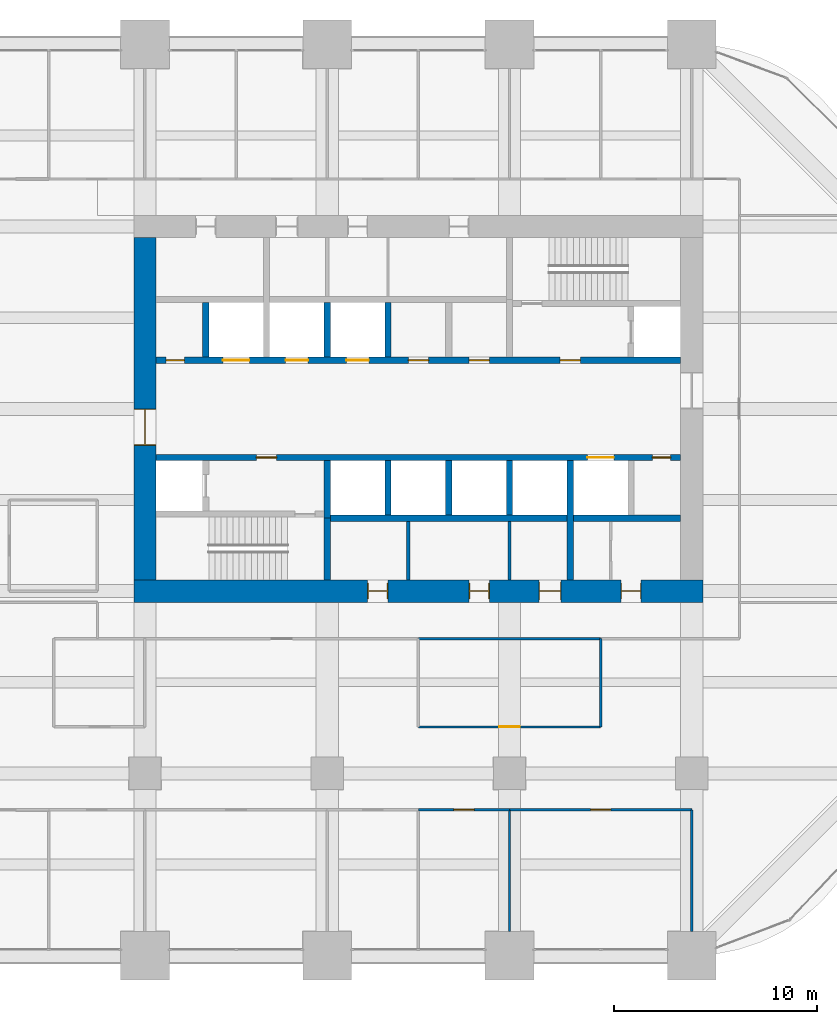
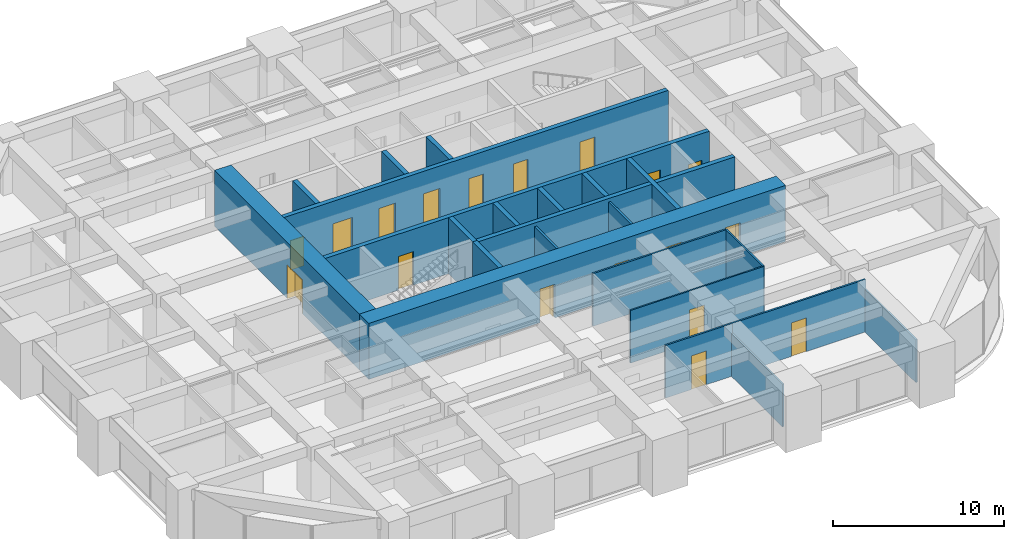
# One storey, part 30 of 34: 23 walls, 18 doors, 18 openings.
"""IFC4 building model written with IfcOpenShell, lengths in metres."""

import ifcopenshell
import ifcopenshell.guid

model = None  # the IFC model being written
_history = None  # IfcOwnerHistory: only IFC2X3 demands one
_inside = {}  # id of a spatial element -> (the spatial element, [elements in it])
_under = {}  # id of a project, library or spatial element -> (it, [spatial elements below it])
_declared = {}  # id of a project -> (the project, [libraries it declares])
_typed = {}  # id of a type object -> (the type object, [elements of that type])
_made_of = {}  # id of a material, layer set ... -> (it, [elements and type objects made of it])


def new_model(schema):
    """Start an empty IFC model of exactly this schema.

    Asked for "IFC4X3", IfcOpenShell would pick the latest addendum, in which some entities
    have other attributes; the version numbers below select the first issue.
    IFC2X3 requires an IfcOwnerHistory on every rooted entity: one is made here for all.
    """
    global model, _history
    if schema == "IFC4X3":
        model = ifcopenshell.file(schema_version=(4, 3, 0, 0))
    else:
        model = ifcopenshell.file(schema=schema)
    _inside.clear()
    _under.clear()
    _declared.clear()
    _typed.clear()
    _made_of.clear()
    _history = None
    if model.schema == "IFC2X3":
        org = make("IfcOrganization", Name="unknown")
        user = make(
            "IfcPersonAndOrganization",
            ThePerson=make("IfcPerson", FamilyName="unknown"),
            TheOrganization=org,
        )
        app = make(
            "IfcApplication",
            ApplicationDeveloper=org,
            Version="unknown",
            ApplicationFullName="unknown",
            ApplicationIdentifier="unknown",
        )
        _history = make(
            "IfcOwnerHistory",
            OwningUser=user,
            OwningApplication=app,
            ChangeAction="ADDED",
            CreationDate=0,
        )
    return model


def make(cls, **values):
    """One entity of the class cls with the attributes given. An attribute that is None is left unset."""
    return model.create_entity(
        cls, **{name: value for name, value in values.items() if value is not None}
    )


def rooted(cls, **values):
    """An entity with a GlobalId (a new one), such as an element, a storey or a relation."""
    return make(cls, GlobalId=ifcopenshell.guid.new(), OwnerHistory=_history, **values)


def si_unit(unit_type, name, prefix=None):
    """IfcSIUnit, for example si_unit("LENGTHUNIT", "METRE", prefix="MILLI")."""
    return make("IfcSIUnit", UnitType=unit_type, Prefix=prefix, Name=name)


def assignment(units):
    """IfcUnitAssignment: the units of a project."""
    return None if units is None else make("IfcUnitAssignment", Units=units)


def point(xyz):
    """IfcCartesianPoint."""
    return None if xyz is None else make("IfcCartesianPoint", Coordinates=xyz)


def direction(xyz):
    """IfcDirection."""
    return None if xyz is None else make("IfcDirection", DirectionRatios=xyz)


def frame(location, z_axis=None, x_axis=None):
    """IfcAxis2Placement3D, a coordinate frame: its origin and axes. An axis left out is left unset."""
    return make(
        "IfcAxis2Placement3D",
        Location=point(location),
        Axis=direction(z_axis),
        RefDirection=direction(x_axis),
    )


def frame_2d(location, x_axis=None):
    """IfcAxis2Placement2D, a coordinate frame in the plane: its origin and x axis."""
    return make(
        "IfcAxis2Placement2D", Location=point(location), RefDirection=direction(x_axis)
    )


def origin():
    """The frame at (0, 0, 0) with its axes left unset."""
    return frame((0.0, 0.0, 0.0))


def place(relative_to, where):
    """IfcLocalPlacement: puts the frame where relative to a parent placement (None: the world)."""
    return make(
        "IfcLocalPlacement", PlacementRelTo=relative_to, RelativePlacement=where
    )


def context(
    kind, dimensions, precision=None, world=None, true_north=None, identifier=None
):
    """IfcGeometricRepresentationContext, for example the 3D "Model" context."""
    return make(
        "IfcGeometricRepresentationContext",
        ContextIdentifier=identifier,
        ContextType=kind,
        CoordinateSpaceDimension=dimensions,
        Precision=precision,
        WorldCoordinateSystem=world,
        TrueNorth=true_north,
    )


def subcontext(parent, identifier, kind, view, scale=None):
    """IfcGeometricRepresentationSubContext, for example "Body" below "Model"."""
    return make(
        "IfcGeometricRepresentationSubContext",
        ContextIdentifier=identifier,
        ContextType=kind,
        ParentContext=parent,
        TargetScale=scale,
        TargetView=view,
    )


def project(units=None, contexts=None):
    """IfcProject with its units and contexts."""
    return rooted(
        "IfcProject",
        Name="project",
        RepresentationContexts=contexts,
        UnitsInContext=assignment(units),
    )


def spatial(cls, under=None, at=None, **own):
    """A site, building, storey or space (cls), placed at a placement, below another one or the project."""
    s = rooted(cls, ObjectPlacement=at, **own)
    if under is not None:
        _under.setdefault(under.id(), (under, []))[1].append(s)
    return s


def profile(cls, at=None, kind="AREA", **sizes):
    """A parametric profile (cls). Its sizes go by their IFC names, for example OverallWidth=200.0."""
    return make(cls, ProfileType=kind, Position=at, **sizes)


def rectangle(**sizes):
    """IfcRectangleProfileDef."""
    return profile("IfcRectangleProfileDef", **sizes)


def extrude(swept, where, along, depth):
    """IfcExtrudedAreaSolid: the profile swept, set in the frame where, extruded along a direction by depth."""
    return make(
        "IfcExtrudedAreaSolid",
        SweptArea=swept,
        Position=where,
        ExtrudedDirection=direction(along),
        Depth=depth,
    )


def shape(context_of_items, identifier, shape_type, items):
    """IfcShapeRepresentation: the items that make up one representation, for example the "Body"."""
    return make(
        "IfcShapeRepresentation",
        ContextOfItems=context_of_items,
        RepresentationIdentifier=identifier,
        RepresentationType=shape_type,
        Items=items,
    )


def material(Name=None, Category=None):
    """IfcMaterial."""
    return make("IfcMaterial", Name=Name, Category=Category)


def layer(
    of_material, thickness, ventilated=None, Name=None, Category=None, Priority=None
):
    """IfcMaterialLayer: one layer of a wall or slab, of a material (None: an air gap)."""
    return make(
        "IfcMaterialLayer",
        Material=of_material,
        LayerThickness=thickness,
        IsVentilated=ventilated,
        Name=Name,
        Category=Category,
        Priority=Priority,
    )


def layer_set(layers, Name=None):
    """IfcMaterialLayerSet."""
    return make("IfcMaterialLayerSet", MaterialLayers=layers, LayerSetName=Name)


def made_of(thing, what):
    """Note that an element or type object is made of a material, layer set ...; save() writes the relation."""
    if what is not None:
        _made_of.setdefault(what.id(), (what, []))[1].append(thing)
    return thing


def type_object(cls, material=None, **own):
    """A type object (cls), such as IfcWallType, which elements share."""
    return made_of(rooted(cls, **own), material)


def element(
    cls,
    number,
    at=None,
    inside=None,
    cuts=None,
    type_object=None,
    material=None,
    context=None,
    identifier="Body",
    shape_type=None,
    held_by="IfcProductDefinitionShape",
    body=None,
    shapes=None,
    **own,
):
    """One element of the class cls, such as IfcWall. Its Tag is "e" and its number.

    at: its placement. inside: the storey or other place that contains it. cuts: it is an
    opening in that element (IfcRelVoidsElement). A single representation is given by context,
    identifier, shape_type and body (its items); several are given by shapes. held_by: the class
    of the entity that holds the representations. save() writes the other relations.
    """
    e = rooted(cls, Tag="e%d" % number, ObjectPlacement=at, **own)
    if body is not None:
        shapes = [shape(context, identifier, shape_type, body)]
    if shapes is not None:
        e.Representation = make(held_by, Representations=shapes)
    if inside is not None:
        _inside.setdefault(inside.id(), (inside, []))[1].append(e)
    if cuts is not None:
        rooted(
            "IfcRelVoidsElement", RelatingBuildingElement=cuts, RelatedOpeningElement=e
        )
    if type_object is not None:
        _typed.setdefault(type_object.id(), (type_object, []))[1].append(e)
    return made_of(e, material)


def fill(opening, filler):
    """IfcRelFillsElement: the door or window that sits in an opening."""
    return rooted(
        "IfcRelFillsElement",
        RelatingOpeningElement=opening,
        RelatedBuildingElement=filler,
    )


def aggregate(whole, parts):
    """IfcRelAggregates: a whole, such as a stair, and the parts it consists of."""
    return rooted("IfcRelAggregates", RelatingObject=whole, RelatedObjects=parts)


def save(model, path):
    """Write the relations noted so far, then the file.

    IfcRelAggregates (storeys below a building ...), IfcRelContainedInSpatialStructure (elements
    in a storey), IfcRelDefinesByType, IfcRelAssociatesMaterial and IfcRelDeclares: one each for
    every whole, place, type object, material and project.
    """
    for whole, parts in _under.values():
        aggregate(whole, parts)
    for where, things in _inside.values():
        rooted(
            "IfcRelContainedInSpatialStructure",
            RelatedElements=things,
            RelatingStructure=where,
        )
    for kind, things in _typed.values():
        rooted("IfcRelDefinesByType", RelatedObjects=things, RelatingType=kind)
    for what, things in _made_of.values():
        rooted("IfcRelAssociatesMaterial", RelatedObjects=things, RelatingMaterial=what)
    for by, libraries in _declared.values():
        rooted("IfcRelDeclares", RelatingContext=by, RelatedDefinitions=libraries)
    model.write(path)


model = new_model("IFC4")

# Units and contexts
model_context = context("Model", 3, precision=1e-05, world=origin(), true_north=direction((0.0, 1.0)))
body_context = subcontext(model_context, "Body", "Model", "MODEL_VIEW")
ifc_project = project(units=[si_unit("LENGTHUNIT", "METRE"), si_unit("AREAUNIT", "SQUARE_METRE"), si_unit("VOLUMEUNIT", "CUBIC_METRE"), si_unit("PLANEANGLEUNIT", "RADIAN"), si_unit("MASSUNIT", "GRAM", prefix="KILO")], contexts=[model_context])

# Site, building, storey
site_placement = place(None, origin())
site = spatial("IfcSite", under=ifc_project, at=site_placement, CompositionType="ELEMENT")
building_placement = place(site_placement, origin())
building = spatial("IfcBuilding", under=site, at=building_placement, Name="Zorevar Civic Tower", CompositionType="ELEMENT")
storey_placement = place(building_placement, frame((0.0, 0.0, 170.199951171875)))
storey = spatial("IfcBuildingStorey", under=building, at=storey_placement, Name="L41", CompositionType="ELEMENT", Elevation=170.199951171875)

# Wall, openings, doors
ifc_material_1 = material(Name="Concrete C50/60", Category="concrete")
ifc_layer_1 = layer(ifc_material_1, 1.10009765625)
ifc_layer_set_1 = layer_set([ifc_layer_1], Name="Core wall 1100")
wall_type_1 = type_object("IfcWallType", Name="Core wall 1100", PredefinedType="SHEAR", material=ifc_layer_set_1)
wall_1_placement = place(storey_placement, frame((17.449951171875, 18.0, 0.0), z_axis=(0.0, 0.0, 1.0), x_axis=(1.0, 0.0, 0.0)))
wall_1 = element("IfcWall", 1, at=wall_1_placement, inside=storey, type_object=wall_type_1, Name="Core wall S L41", PredefinedType="SHEAR", context=body_context, shape_type="SweptSolid", body=[
    extrude(rectangle(XDim=28.10009765625, YDim=1.10009765625, at=frame_2d((14.050048828125, 0.0))), origin(), (0.0, 0.0, 1.0), 4.0),
])
opening_1_placement = place(wall_1_placement, frame((11.550048828125, 0.0, 0.0)))
opening_1 = element("IfcOpeningElement", 2, at=opening_1_placement, cuts=wall_1, Name="Opening L41.03", PredefinedType="OPENING", context=body_context, shape_type="SweptSolid", body=[
    extrude(rectangle(XDim=1.0, YDim=2.39990234375, at=frame_2d((0.5, 1.199951171875))), frame((0.0, 0.56005859375, 0.0), z_axis=(0.0, -1.0, 0.0), x_axis=(1.0, 0.0, 0.0)), (0.0, 0.0, 1.0), 1.1201171875),
])
opening_2_placement = place(wall_1_placement, frame((16.550048828125, 0.0, 0.0)))
opening_2 = element("IfcOpeningElement", 3, at=opening_2_placement, cuts=wall_1, Name="Opening L41.04", PredefinedType="OPENING", context=body_context, shape_type="SweptSolid", body=[
    extrude(rectangle(XDim=1.0, YDim=2.39990234375, at=frame_2d((0.5, 1.199951171875))), frame((0.0, 0.56005859375, 0.0), z_axis=(0.0, -1.0, 0.0), x_axis=(1.0, 0.0, 0.0)), (0.0, 0.0, 1.0), 1.1201171875),
])
opening_3_placement = place(wall_1_placement, frame((20.0, 0.0, 0.0)))
opening_3 = element("IfcOpeningElement", 4, at=opening_3_placement, cuts=wall_1, Name="Opening L41.05", PredefinedType="OPENING", context=body_context, shape_type="SweptSolid", body=[
    extrude(rectangle(XDim=1.10009765625, YDim=2.39990234375, at=frame_2d((0.550048828125, 1.199951171875))), frame((0.0, 0.56005859375, 0.0), z_axis=(0.0, -1.0, 0.0), x_axis=(1.0, 0.0, 0.0)), (0.0, 0.0, 1.0), 1.1201171875),
])
opening_4_placement = place(wall_1_placement, frame((24.050048828125, 0.0, 0.0)))
opening_4 = element("IfcOpeningElement", 5, at=opening_4_placement, cuts=wall_1, Name="Opening L41.06", PredefinedType="OPENING", context=body_context, shape_type="SweptSolid", body=[
    extrude(rectangle(XDim=1.0, YDim=2.39990234375, at=frame_2d((0.5, 1.199951171875))), frame((0.0, 0.56005859375, 0.0), z_axis=(0.0, -1.0, 0.0), x_axis=(1.0, 0.0, 0.0)), (0.0, 0.0, 1.0), 1.1201171875),
])
ifc_material_2 = material(Name="Timber door set", Category="wood")
door_type_1 = type_object("IfcDoorType", Name="Door D1 1000x2400", OperationType="SINGLE_SWING_LEFT", PredefinedType="DOOR", material=ifc_material_2)
door_1_placement = place(opening_1_placement, origin())
door_1 = element("IfcDoor", 6, at=door_1_placement, inside=storey, type_object=door_type_1, Name="Door L41 02", OperationType="SINGLE_SWING_RIGHT", OverallHeight=2.39990234375, OverallWidth=1.0, PredefinedType="DOOR", context=body_context, shape_type="SweptSolid", body=[
    extrude(rectangle(XDim=1.0, YDim=2.39990234375, at=frame_2d((0.5, 1.199951171875))), frame((0.0, 0.02490234375, 0.0), z_axis=(0.0, -1.0, 0.0), x_axis=(1.0, 0.0, 0.0)), (0.0, 0.0, 1.0), 0.050048828125),
    extrude(rectangle(XDim=0.04, YDim=2.39990234375, at=frame_2d((0.02001953125, 1.199951171875))), frame((0.0, 0.39990234375, 0.0), z_axis=(0.0, -1.0, 0.0), x_axis=(1.0, 0.0, 0.0)), (0.0, 0.0, 1.0), 0.800048828125),
    extrude(rectangle(XDim=0.04, YDim=2.39990234375, at=frame_2d((0.97998046875, 1.199951171875))), frame((0.0, 0.39990234375, 0.0), z_axis=(0.0, -1.0, 0.0), x_axis=(1.0, 0.0, 0.0)), (0.0, 0.0, 1.0), 0.800048828125),
    extrude(rectangle(XDim=1.0, YDim=0.04, at=frame_2d((0.5, 2.3798828125))), frame((0.0, 0.39990234375, 0.0), z_axis=(0.0, -1.0, 0.0), x_axis=(1.0, 0.0, 0.0)), (0.0, 0.0, 1.0), 0.800048828125),
])
fill(opening_1, door_1)
door_2_placement = place(opening_2_placement, origin())
door_2 = element("IfcDoor", 7, at=door_2_placement, inside=storey, type_object=door_type_1, Name="Door L41 03", OperationType="SINGLE_SWING_LEFT", OverallHeight=2.39990234375, OverallWidth=1.0, PredefinedType="DOOR", context=body_context, shape_type="SweptSolid", body=[
    extrude(rectangle(XDim=1.0, YDim=2.39990234375, at=frame_2d((0.5, 1.199951171875))), frame((0.0, 0.02490234375, 0.0), z_axis=(0.0, -1.0, 0.0), x_axis=(1.0, 0.0, 0.0)), (0.0, 0.0, 1.0), 0.050048828125),
    extrude(rectangle(XDim=0.04, YDim=2.39990234375, at=frame_2d((0.02001953125, 1.199951171875))), frame((0.0, 0.39990234375, 0.0), z_axis=(0.0, -1.0, 0.0), x_axis=(1.0, 0.0, 0.0)), (0.0, 0.0, 1.0), 0.800048828125),
    extrude(rectangle(XDim=0.04, YDim=2.39990234375, at=frame_2d((0.97998046875, 1.199951171875))), frame((0.0, 0.39990234375, 0.0), z_axis=(0.0, -1.0, 0.0), x_axis=(1.0, 0.0, 0.0)), (0.0, 0.0, 1.0), 0.800048828125),
    extrude(rectangle(XDim=1.0, YDim=0.04, at=frame_2d((0.5, 2.3798828125))), frame((0.0, 0.39990234375, 0.0), z_axis=(0.0, -1.0, 0.0), x_axis=(1.0, 0.0, 0.0)), (0.0, 0.0, 1.0), 0.800048828125),
])
fill(opening_2, door_2)
door_3_placement = place(opening_4_placement, origin())
door_3 = element("IfcDoor", 8, at=door_3_placement, inside=storey, type_object=door_type_1, Name="Door L41 05", OperationType="SINGLE_SWING_LEFT", OverallHeight=2.39990234375, OverallWidth=1.0, PredefinedType="DOOR", context=body_context, shape_type="SweptSolid", body=[
    extrude(rectangle(XDim=1.0, YDim=2.39990234375, at=frame_2d((0.5, 1.199951171875))), frame((0.0, 0.02490234375, 0.0), z_axis=(0.0, -1.0, 0.0), x_axis=(1.0, 0.0, 0.0)), (0.0, 0.0, 1.0), 0.050048828125),
    extrude(rectangle(XDim=0.04, YDim=2.39990234375, at=frame_2d((0.02001953125, 1.199951171875))), frame((0.0, 0.39990234375, 0.0), z_axis=(0.0, -1.0, 0.0), x_axis=(1.0, 0.0, 0.0)), (0.0, 0.0, 1.0), 0.800048828125),
    extrude(rectangle(XDim=0.04, YDim=2.39990234375, at=frame_2d((0.97998046875, 1.199951171875))), frame((0.0, 0.39990234375, 0.0), z_axis=(0.0, -1.0, 0.0), x_axis=(1.0, 0.0, 0.0)), (0.0, 0.0, 1.0), 0.800048828125),
    extrude(rectangle(XDim=1.0, YDim=0.04, at=frame_2d((0.5, 2.3798828125))), frame((0.0, 0.39990234375, 0.0), z_axis=(0.0, -1.0, 0.0), x_axis=(1.0, 0.0, 0.0)), (0.0, 0.0, 1.0), 0.800048828125),
])
fill(opening_4, door_3)
ifc_material_3 = material(Name="Timber door set", Category="wood")
door_type_2 = type_object("IfcDoorType", Name="Door D5 1100x2400", OperationType="SINGLE_SWING_LEFT", PredefinedType="DOOR", material=ifc_material_3)
door_4_placement = place(opening_3_placement, origin())
door_4 = element("IfcDoor", 9, at=door_4_placement, inside=storey, type_object=door_type_2, Name="Door L41 04", OperationType="SINGLE_SWING_LEFT", OverallHeight=2.39990234375, OverallWidth=1.10009765625, PredefinedType="DOOR", context=body_context, shape_type="SweptSolid", body=[
    extrude(rectangle(XDim=1.10009765625, YDim=2.39990234375, at=frame_2d((0.550048828125, 1.199951171875))), frame((0.0, 0.02490234375, 0.0), z_axis=(0.0, -1.0, 0.0), x_axis=(1.0, 0.0, 0.0)), (0.0, 0.0, 1.0), 0.050048828125),
    extrude(rectangle(XDim=0.04, YDim=2.39990234375, at=frame_2d((0.02001953125, 1.199951171875))), frame((0.0, 0.43994140625, 0.0), z_axis=(0.0, -1.0, 0.0), x_axis=(1.0, 0.0, 0.0)), (0.0, 0.0, 1.0), 0.880126953125),
    extrude(rectangle(XDim=0.04, YDim=2.39990234375, at=frame_2d((1.080078125, 1.199951171875))), frame((0.0, 0.43994140625, 0.0), z_axis=(0.0, -1.0, 0.0), x_axis=(1.0, 0.0, 0.0)), (0.0, 0.0, 1.0), 0.880126953125),
    extrude(rectangle(XDim=1.10009765625, YDim=0.04, at=frame_2d((0.550048828125, 2.3798828125))), frame((0.0, 0.43994140625, 0.0), z_axis=(0.0, -1.0, 0.0), x_axis=(1.0, 0.0, 0.0)), (0.0, 0.0, 1.0), 0.880126953125),
])
fill(opening_3, door_4)

# Wall, opening, door
wall_2_placement = place(storey_placement, frame((18.0, 35.449951171875, 0.0), z_axis=(0.0, 0.0, 1.0), x_axis=(0.0, -1.0, 0.0)))
wall_2 = element("IfcWall", 10, at=wall_2_placement, inside=storey, type_object=wall_type_1, Name="Core wall W L41", PredefinedType="SHEAR", context=body_context, shape_type="SweptSolid", body=[
    extrude(rectangle(XDim=16.89990234375, YDim=1.10009765625, at=frame_2d((8.449951171875, 0.0))), origin(), (0.0, 0.0, 1.0), 4.0),
])
opening_5_placement = place(wall_2_placement, frame((8.449951171875, 0.0, 0.0)))
opening_5 = element("IfcOpeningElement", 11, at=opening_5_placement, cuts=wall_2, Name="Opening L41.01", PredefinedType="OPENING", context=body_context, shape_type="SweptSolid", body=[
    extrude(rectangle(XDim=1.800048828125, YDim=2.39990234375, at=frame_2d((0.89990234375, 1.199951171875))), frame((0.0, 0.56005859375, 0.0), z_axis=(0.0, -1.0, 0.0), x_axis=(1.0, 0.0, 0.0)), (0.0, 0.0, 1.0), 1.1201171875),
])
ifc_material_4 = material(Name="Steel door set", Category="steel")
door_type_3 = type_object("IfcDoorType", Name="Fire door FD2 1800x2400", OperationType="DOUBLE_DOOR_DOUBLE_SWING", PredefinedType="DOOR", material=ifc_material_4)
door_5_placement = place(opening_5_placement, origin())
door_5 = element("IfcDoor", 12, at=door_5_placement, inside=storey, type_object=door_type_3, Name="Door L41 00", OperationType="DOUBLE_DOOR_DOUBLE_SWING", OverallHeight=2.39990234375, OverallWidth=1.800048828125, PredefinedType="DOOR", context=body_context, shape_type="SweptSolid", body=[
    extrude(rectangle(XDim=1.800048828125, YDim=2.39990234375, at=frame_2d((0.89990234375, 1.199951171875))), frame((0.0, 0.030029296875, 0.0), z_axis=(0.0, -1.0, 0.0), x_axis=(1.0, 0.0, 0.0)), (0.0, 0.0, 1.0), 0.06005859375),
    extrude(rectangle(XDim=0.04, YDim=2.39990234375, at=frame_2d((0.02001953125, 1.199951171875))), frame((0.0, 0.5498046875, 0.0), z_axis=(0.0, -1.0, 0.0), x_axis=(1.0, 0.0, 0.0)), (0.0, 0.0, 1.0), 1.099609375),
    extrude(rectangle(XDim=0.04, YDim=2.39990234375, at=frame_2d((1.780029296875, 1.199951171875))), frame((0.0, 0.5498046875, 0.0), z_axis=(0.0, -1.0, 0.0), x_axis=(1.0, 0.0, 0.0)), (0.0, 0.0, 1.0), 1.099609375),
    extrude(rectangle(XDim=1.800048828125, YDim=0.04, at=frame_2d((0.89990234375, 2.3798828125))), frame((0.0, 0.5498046875, 0.0), z_axis=(0.0, -1.0, 0.0), x_axis=(1.0, 0.0, 0.0)), (0.0, 0.0, 1.0), 1.099609375),
])
fill(opening_5, door_5)

ifc_material_5 = material(Name="Laminated glass in black aluminium frame", Category="aluminium")
ifc_layer_2 = layer(ifc_material_5, 0.10009765625)
ifc_layer_set_2 = layer_set([ifc_layer_2], Name="Glazed partition 100")
wall_type_2 = type_object("IfcWallType", Name="Glazed partition 100", PredefinedType="PARTITIONING", material=ifc_layer_set_2)
wall_3_placement = place(storey_placement, frame((31.5, 11.300048828125, 0.0), z_axis=(0.0, 0.0, 1.0), x_axis=(1.0, 0.0, 0.0)))
wall_3 = element("IfcWall", 13, at=wall_3_placement, inside=storey, type_object=wall_type_2, Name="Glazed partition 100 L41", PredefinedType="PARTITIONING", context=body_context, shape_type="SweptSolid", body=[
    extrude(rectangle(XDim=9.0, YDim=0.10009765625, at=frame_2d((4.5, 0.0))), origin(), (0.0, 0.0, 1.0), 3.75),
])
opening_6_placement = place(wall_3_placement, frame((4.0, 0.0, 0.0)))
opening_6 = element("IfcOpeningElement", 14, at=opening_6_placement, cuts=wall_3, Name="Opening L41.24", PredefinedType="OPENING", context=body_context, shape_type="SweptSolid", body=[
    extrude(rectangle(XDim=1.0, YDim=2.39990234375, at=frame_2d((0.5, 1.199951171875))), frame((0.0, 0.06005859375, 0.0), z_axis=(0.0, -1.0, 0.0), x_axis=(1.0, 0.0, 0.0)), (0.0, 0.0, 1.0), 0.1201171875),
])
ifc_material_6 = material(Name="Timber door set", Category="wood")
door_type_4 = type_object("IfcDoorType", Name="Glazed door GD1 1000x2400", OperationType="SINGLE_SWING_LEFT", PredefinedType="DOOR", material=ifc_material_6)
door_6_placement = place(opening_6_placement, origin())
door_6 = element("IfcDoor", 15, at=door_6_placement, inside=storey, type_object=door_type_4, Name="Door L41 D1", OperationType="SINGLE_SWING_RIGHT", OverallHeight=2.39990234375, OverallWidth=1.0, PredefinedType="DOOR", context=body_context, shape_type="SweptSolid", body=[
    extrude(rectangle(XDim=1.0, YDim=2.39990234375, at=frame_2d((0.5, 1.199951171875))), frame((0.0, 0.02001953125, 0.0), z_axis=(0.0, -1.0, 0.0), x_axis=(1.0, 0.0, 0.0)), (0.0, 0.0, 1.0), 0.0400390625),
])
fill(opening_6, door_6)

# Wall
ifc_material_7 = material(Name="Concrete C40/50", Category="concrete")
ifc_layer_3 = layer(ifc_material_7, 0.300048828125)
ifc_layer_set_3 = layer_set([ifc_layer_3], Name="Inner core wall 300")
wall_type_3 = type_object("IfcWallType", Name="Inner core wall 300", PredefinedType="SHEAR", material=ifc_layer_set_3)
wall_4_placement = place(storey_placement, frame((27.0, 18.550048828125, 0.0), z_axis=(0.0, 0.0, 1.0), x_axis=(0.0, 1.0, 0.0)))
element("IfcWall", 16, at=wall_4_placement, inside=storey, type_object=wall_type_3, Name="Inner core wall S01 L41", PredefinedType="SHEAR", context=body_context, shape_type="SweptSolid", body=[
    extrude(rectangle(XDim=3.050048828125, YDim=0.300048828125, at=frame_2d((1.52490234375, 0.0))), origin(), (0.0, 0.0, 1.0), 4.0),
])

# Wall, openings, doors
wall_5_placement = place(storey_placement, frame((18.550048828125, 24.60009765625, 0.0), z_axis=(0.0, 0.0, 1.0), x_axis=(1.0, 0.0, 0.0)))
wall_5 = element("IfcWall", 17, at=wall_5_placement, inside=storey, type_object=wall_type_3, Name="Inner core wall S03 L41", PredefinedType="SHEAR", context=body_context, shape_type="SweptSolid", body=[
    extrude(rectangle(XDim=25.89990234375, YDim=0.300048828125, at=frame_2d((12.949951171875, 0.0))), origin(), (0.0, 0.0, 1.0), 4.0),
])
opening_7_placement = place(wall_5_placement, frame((4.949951171875, 0.0, 0.0)))
opening_7 = element("IfcOpeningElement", 18, at=opening_7_placement, cuts=wall_5, Name="Opening L41.13", PredefinedType="OPENING", context=body_context, shape_type="SweptSolid", body=[
    extrude(rectangle(XDim=1.0, YDim=2.39990234375, at=frame_2d((0.5, 1.199951171875))), frame((0.0, 0.159912109375, 0.0), z_axis=(0.0, -1.0, 0.0), x_axis=(1.0, 0.0, 0.0)), (0.0, 0.0, 1.0), 0.320068359375),
])
opening_8_placement = place(wall_5_placement, frame((24.5, 0.0, 0.0)))
opening_8 = element("IfcOpeningElement", 19, at=opening_8_placement, cuts=wall_5, Name="Opening L41.15", PredefinedType="OPENING", context=body_context, shape_type="SweptSolid", body=[
    extrude(rectangle(XDim=0.89990234375, YDim=2.10009765625, at=frame_2d((0.449951171875, 1.050048828125))), frame((0.0, 0.159912109375, 0.0), z_axis=(0.0, -1.0, 0.0), x_axis=(1.0, 0.0, 0.0)), (0.0, 0.0, 1.0), 0.320068359375),
])
opening_9_placement = place(wall_5_placement, frame((21.300048828125, 0.0, 0.0)))
opening_9 = element("IfcOpeningElement", 20, at=opening_9_placement, cuts=wall_5, Name="Opening L41.SL1", PredefinedType="OPENING", context=body_context, shape_type="SweptSolid", body=[
    extrude(rectangle(XDim=1.300048828125, YDim=2.39990234375, at=frame_2d((0.64990234375, 1.199951171875))), frame((0.0, 0.159912109375, 0.0), z_axis=(0.0, -1.0, 0.0), x_axis=(1.0, 0.0, 0.0)), (0.0, 0.0, 1.0), 0.320068359375),
])
ifc_material_8 = material(Name="Steel door set", Category="steel")
door_type_5 = type_object("IfcDoorType", Name="Fire door FD1 1000x2400", OperationType="SINGLE_SWING_LEFT", PredefinedType="DOOR", material=ifc_material_8)
door_7_placement = place(opening_7_placement, origin())
door_7 = element("IfcDoor", 21, at=door_7_placement, inside=storey, type_object=door_type_5, Name="Door L41 12", OperationType="SINGLE_SWING_RIGHT", OverallHeight=2.39990234375, OverallWidth=1.0, PredefinedType="DOOR", context=body_context, shape_type="SweptSolid", body=[
    extrude(rectangle(XDim=1.0, YDim=2.39990234375, at=frame_2d((0.5, 1.199951171875))), frame((0.0, 0.030029296875, 0.0), z_axis=(0.0, -1.0, 0.0), x_axis=(1.0, 0.0, 0.0)), (0.0, 0.0, 1.0), 0.06005859375),
])
fill(opening_7, door_7)
ifc_material_9 = material(Name="Steel door set", Category="steel")
door_type_6 = type_object("IfcDoorType", Name="Landing door LD2 1300x2400", OperationType="DOUBLE_DOOR_SLIDING", PredefinedType="DOOR", material=ifc_material_9)
door_8_placement = place(opening_9_placement, origin())
door_8 = element("IfcDoor", 22, at=door_8_placement, inside=storey, type_object=door_type_6, Name="Landing door SL1 L41", OperationType="DOUBLE_DOOR_SLIDING", OverallHeight=2.39990234375, OverallWidth=1.300048828125, PredefinedType="DOOR", context=body_context, shape_type="SweptSolid", body=[
    extrude(rectangle(XDim=1.300048828125, YDim=2.39990234375, at=frame_2d((0.64990234375, 1.199951171875))), frame((0.0, 0.02001953125, 0.0), z_axis=(0.0, -1.0, 0.0), x_axis=(1.0, 0.0, 0.0)), (0.0, 0.0, 1.0), 0.0400390625),
])
fill(opening_9, door_8)
ifc_material_10 = material(Name="Steel door set", Category="steel")
door_type_7 = type_object("IfcDoorType", Name="Riser door RD1 900x2100", OperationType="SINGLE_SWING_LEFT", PredefinedType="DOOR", material=ifc_material_10)
door_9_placement = place(opening_8_placement, origin())
door_9 = element("IfcDoor", 23, at=door_9_placement, inside=storey, type_object=door_type_7, Name="Door L41 14", OperationType="SINGLE_SWING_RIGHT", OverallHeight=2.10009765625, OverallWidth=0.89990234375, PredefinedType="DOOR", context=body_context, shape_type="SweptSolid", body=[
    extrude(rectangle(XDim=0.89990234375, YDim=2.10009765625, at=frame_2d((0.449951171875, 1.050048828125))), frame((0.0, 0.030029296875, 0.0), z_axis=(0.0, -1.0, 0.0), x_axis=(1.0, 0.0, 0.0)), (0.0, 0.0, 1.0), 0.06005859375),
])
fill(opening_8, door_9)

wall_6_placement = place(storey_placement, frame((18.550048828125, 29.39990234375, 0.0), z_axis=(0.0, 0.0, 1.0), x_axis=(1.0, 0.0, 0.0)))
wall_6 = element("IfcWall", 24, at=wall_6_placement, inside=storey, type_object=wall_type_3, Name="Inner core wall N03 L41", PredefinedType="SHEAR", context=body_context, shape_type="SweptSolid", body=[
    extrude(rectangle(XDim=25.89990234375, YDim=0.300048828125, at=frame_2d((12.949951171875, 0.0))), origin(), (0.0, 0.0, 1.0), 4.0),
])
opening_10_placement = place(wall_6_placement, frame((19.949951171875, 0.0, 0.0)))
opening_10 = element("IfcOpeningElement", 25, at=opening_10_placement, cuts=wall_6, Name="Opening L41.14", PredefinedType="OPENING", context=body_context, shape_type="SweptSolid", body=[
    extrude(rectangle(XDim=1.0, YDim=2.39990234375, at=frame_2d((0.5, 1.199951171875))), frame((0.0, 0.159912109375, 0.0), z_axis=(0.0, -1.0, 0.0), x_axis=(1.0, 0.0, 0.0)), (0.0, 0.0, 1.0), 0.320068359375),
])
opening_11_placement = place(wall_6_placement, frame((0.5, 0.0, 0.0)))
opening_11 = element("IfcOpeningElement", 26, at=opening_11_placement, cuts=wall_6, Name="Opening L41.16", PredefinedType="OPENING", context=body_context, shape_type="SweptSolid", body=[
    extrude(rectangle(XDim=0.89990234375, YDim=2.10009765625, at=frame_2d((0.449951171875, 1.050048828125))), frame((0.0, 0.159912109375, 0.0), z_axis=(0.0, -1.0, 0.0), x_axis=(1.0, 0.0, 0.0)), (0.0, 0.0, 1.0), 0.320068359375),
])
opening_12_placement = place(wall_6_placement, frame((15.449951171875, 0.0, 0.0)))
opening_12 = element("IfcOpeningElement", 27, at=opening_12_placement, cuts=wall_6, Name="Opening L41.44", PredefinedType="OPENING", context=body_context, shape_type="SweptSolid", body=[
    extrude(rectangle(XDim=1.0, YDim=2.39990234375, at=frame_2d((0.5, 1.199951171875))), frame((0.0, 0.159912109375, 0.0), z_axis=(0.0, -1.0, 0.0), x_axis=(1.0, 0.0, 0.0)), (0.0, 0.0, 1.0), 0.320068359375),
])
opening_13_placement = place(wall_6_placement, frame((12.449951171875, 0.0, 0.0)))
opening_13 = element("IfcOpeningElement", 28, at=opening_13_placement, cuts=wall_6, Name="Opening L41.45", PredefinedType="OPENING", context=body_context, shape_type="SweptSolid", body=[
    extrude(rectangle(XDim=1.0, YDim=2.39990234375, at=frame_2d((0.5, 1.199951171875))), frame((0.0, 0.159912109375, 0.0), z_axis=(0.0, -1.0, 0.0), x_axis=(1.0, 0.0, 0.0)), (0.0, 0.0, 1.0), 0.320068359375),
])
opening_14_placement = place(wall_6_placement, frame((9.39990234375, 0.0, 0.0)))
opening_14 = element("IfcOpeningElement", 29, at=opening_14_placement, cuts=wall_6, Name="Opening L41.LH1", PredefinedType="OPENING", context=body_context, shape_type="SweptSolid", body=[
    extrude(rectangle(XDim=1.10009765625, YDim=2.39990234375, at=frame_2d((0.550048828125, 1.199951171875))), frame((0.0, 0.159912109375, 0.0), z_axis=(0.0, -1.0, 0.0), x_axis=(1.0, 0.0, 0.0)), (0.0, 0.0, 1.0), 0.320068359375),
])
opening_15_placement = place(wall_6_placement, frame((6.39990234375, 0.0, 0.0)))
opening_15 = element("IfcOpeningElement", 30, at=opening_15_placement, cuts=wall_6, Name="Opening L41.LH2", PredefinedType="OPENING", context=body_context, shape_type="SweptSolid", body=[
    extrude(rectangle(XDim=1.10009765625, YDim=2.39990234375, at=frame_2d((0.550048828125, 1.199951171875))), frame((0.0, 0.159912109375, 0.0), z_axis=(0.0, -1.0, 0.0), x_axis=(1.0, 0.0, 0.0)), (0.0, 0.0, 1.0), 0.320068359375),
])
opening_16_placement = place(wall_6_placement, frame((3.300048828125, 0.0, 0.0)))
opening_16 = element("IfcOpeningElement", 31, at=opening_16_placement, cuts=wall_6, Name="Opening L41.SL2", PredefinedType="OPENING", context=body_context, shape_type="SweptSolid", body=[
    extrude(rectangle(XDim=1.300048828125, YDim=2.39990234375, at=frame_2d((0.64990234375, 1.199951171875))), frame((0.0, 0.159912109375, 0.0), z_axis=(0.0, -1.0, 0.0), x_axis=(1.0, 0.0, 0.0)), (0.0, 0.0, 1.0), 0.320068359375),
])
door_10_placement = place(opening_10_placement, origin())
door_10 = element("IfcDoor", 32, at=door_10_placement, inside=storey, type_object=door_type_5, Name="Door L41 13", OperationType="SINGLE_SWING_RIGHT", OverallHeight=2.39990234375, OverallWidth=1.0, PredefinedType="DOOR", context=body_context, shape_type="SweptSolid", body=[
    extrude(rectangle(XDim=1.0, YDim=2.39990234375, at=frame_2d((0.5, 1.199951171875))), frame((0.0, 0.030029296875, 0.0), z_axis=(0.0, -1.0, 0.0), x_axis=(1.0, 0.0, 0.0)), (0.0, 0.0, 1.0), 0.06005859375),
])
fill(opening_10, door_10)
door_11_placement = place(opening_12_placement, origin())
door_11 = element("IfcDoor", 33, at=door_11_placement, inside=storey, type_object=door_type_5, Name="Door L41 LM1 shaft room", OperationType="SINGLE_SWING_LEFT", OverallHeight=2.39990234375, OverallWidth=1.0, PredefinedType="DOOR", context=body_context, shape_type="SweptSolid", body=[
    extrude(rectangle(XDim=1.0, YDim=2.39990234375, at=frame_2d((0.5, 1.199951171875))), frame((0.0, 0.030029296875, 0.0), z_axis=(0.0, -1.0, 0.0), x_axis=(1.0, 0.0, 0.0)), (0.0, 0.0, 1.0), 0.06005859375),
])
fill(opening_12, door_11)
door_12_placement = place(opening_13_placement, origin())
door_12 = element("IfcDoor", 34, at=door_12_placement, inside=storey, type_object=door_type_5, Name="Door L41 LM2 shaft room", OperationType="SINGLE_SWING_RIGHT", OverallHeight=2.39990234375, OverallWidth=1.0, PredefinedType="DOOR", context=body_context, shape_type="SweptSolid", body=[
    extrude(rectangle(XDim=1.0, YDim=2.39990234375, at=frame_2d((0.5, 1.199951171875))), frame((0.0, 0.030029296875, 0.0), z_axis=(0.0, -1.0, 0.0), x_axis=(1.0, 0.0, 0.0)), (0.0, 0.0, 1.0), 0.06005859375),
])
fill(opening_13, door_12)
ifc_material_11 = material(Name="Steel door set", Category="steel")
door_type_8 = type_object("IfcDoorType", Name="Landing door LD1 1100x2400", OperationType="DOUBLE_DOOR_SLIDING", PredefinedType="DOOR", material=ifc_material_11)
door_13_placement = place(opening_14_placement, origin())
door_13 = element("IfcDoor", 35, at=door_13_placement, inside=storey, type_object=door_type_8, Name="Landing door LH1 L41", OperationType="DOUBLE_DOOR_SLIDING", OverallHeight=2.39990234375, OverallWidth=1.10009765625, PredefinedType="DOOR", context=body_context, shape_type="SweptSolid", body=[
    extrude(rectangle(XDim=1.10009765625, YDim=2.39990234375, at=frame_2d((0.550048828125, 1.199951171875))), frame((0.0, 0.02001953125, 0.0), z_axis=(0.0, -1.0, 0.0), x_axis=(1.0, 0.0, 0.0)), (0.0, 0.0, 1.0), 0.0400390625),
])
fill(opening_14, door_13)
door_14_placement = place(opening_15_placement, origin())
door_14 = element("IfcDoor", 36, at=door_14_placement, inside=storey, type_object=door_type_8, Name="Landing door LH2 L41", OperationType="DOUBLE_DOOR_SLIDING", OverallHeight=2.39990234375, OverallWidth=1.10009765625, PredefinedType="DOOR", context=body_context, shape_type="SweptSolid", body=[
    extrude(rectangle(XDim=1.10009765625, YDim=2.39990234375, at=frame_2d((0.550048828125, 1.199951171875))), frame((0.0, 0.02001953125, 0.0), z_axis=(0.0, -1.0, 0.0), x_axis=(1.0, 0.0, 0.0)), (0.0, 0.0, 1.0), 0.0400390625),
])
fill(opening_15, door_14)
door_15_placement = place(opening_16_placement, origin())
door_15 = element("IfcDoor", 37, at=door_15_placement, inside=storey, type_object=door_type_6, Name="Landing door SL2 L41", OperationType="DOUBLE_DOOR_SLIDING", OverallHeight=2.39990234375, OverallWidth=1.300048828125, PredefinedType="DOOR", context=body_context, shape_type="SweptSolid", body=[
    extrude(rectangle(XDim=1.300048828125, YDim=2.39990234375, at=frame_2d((0.64990234375, 1.199951171875))), frame((0.0, 0.02001953125, 0.0), z_axis=(0.0, -1.0, 0.0), x_axis=(1.0, 0.0, 0.0)), (0.0, 0.0, 1.0), 0.0400390625),
])
fill(opening_16, door_15)
door_16_placement = place(opening_11_placement, origin())
door_16 = element("IfcDoor", 38, at=door_16_placement, inside=storey, type_object=door_type_7, Name="Door L41 15", OperationType="SINGLE_SWING_RIGHT", OverallHeight=2.10009765625, OverallWidth=0.89990234375, PredefinedType="DOOR", context=body_context, shape_type="SweptSolid", body=[
    extrude(rectangle(XDim=0.89990234375, YDim=2.10009765625, at=frame_2d((0.449951171875, 1.050048828125))), frame((0.0, 0.030029296875, 0.0), z_axis=(0.0, -1.0, 0.0), x_axis=(1.0, 0.0, 0.0)), (0.0, 0.0, 1.0), 0.06005859375),
])
fill(opening_11, door_16)

# Walls
wall_7_placement = place(storey_placement, frame((27.14990234375, 21.60009765625, 0.0), z_axis=(0.0, 0.0, 1.0), x_axis=(1.0, 0.0, 0.0)))
element("IfcWall", 39, at=wall_7_placement, inside=storey, type_object=wall_type_3, Name="Inner core wall S04 L41", PredefinedType="SHEAR", context=body_context, shape_type="SweptSolid", body=[
    extrude(rectangle(XDim=17.300048828125, YDim=0.300048828125, at=frame_2d((8.64990234375, 0.0))), origin(), (0.0, 0.0, 1.0), 4.0),
])
for number, where, z_axis, x_axis, name in (
    (40, (30.0, 21.75, 0.0), (0.0, 0.0, 1.0), (0.0, 1.0, 0.0), "Inner core wall S05 L41"),
    (41, (33.0, 21.75, 0.0), (0.0, 0.0, 1.0), (0.0, 1.0, 0.0), "Inner core wall S06 L41"),
    (42, (30.0, 29.550048828125, 0.0), (0.0, 0.0, 1.0), (0.0, 1.0, 0.0), "Inner core wall N06 L41"),
    (43, (36.0, 21.75, 0.0), (0.0, 0.0, 1.0), (0.0, 1.0, 0.0), "Inner core wall S07 L41"),
    (44, (27.0, 29.550048828125, 0.0), (0.0, 0.0, 1.0), (0.0, 1.0, 0.0), "Inner core wall N07 L41"),
):
    element("IfcWall", number, at=place(storey_placement, frame(where, z_axis=z_axis, x_axis=x_axis)), inside=storey, type_object=wall_type_3, Name=name, PredefinedType="SHEAR", context=body_context, shape_type="SweptSolid", body=[
        extrude(rectangle(XDim=2.699951171875, YDim=0.300048828125, at=frame_2d((1.35009765625, 0.0))), origin(), (0.0, 0.0, 1.0), 4.0),
    ])
wall_8_placement = place(storey_placement, frame((39.0, 18.550048828125, 0.0), z_axis=(0.0, 0.0, 1.0), x_axis=(0.0, 1.0, 0.0)))
element("IfcWall", 45, at=wall_8_placement, inside=storey, type_object=wall_type_3, Name="Inner core wall S08 L41", PredefinedType="SHEAR", context=body_context, shape_type="SweptSolid", body=[
    extrude(rectangle(XDim=5.89990234375, YDim=0.300048828125, at=frame_2d((2.949951171875, 0.0))), origin(), (0.0, 0.0, 1.0), 4.0),
])
wall_9_placement = place(storey_placement, frame((21.0, 29.550048828125, 0.0), z_axis=(0.0, 0.0, 1.0), x_axis=(0.0, 1.0, 0.0)))
element("IfcWall", 46, at=wall_9_placement, inside=storey, type_object=wall_type_3, Name="Inner core wall N09 L41", PredefinedType="SHEAR", context=body_context, shape_type="SweptSolid", body=[
    extrude(rectangle(XDim=2.699951171875, YDim=0.300048828125, at=frame_2d((1.35009765625, 0.0))), origin(), (0.0, 0.0, 1.0), 4.0),
])
wall_10_placement = place(storey_placement, frame((27.0, 21.60009765625, 0.0), z_axis=(0.0, 0.0, 1.0), x_axis=(0.0, 1.0, 0.0)))
element("IfcWall", 47, at=wall_10_placement, inside=storey, type_object=wall_type_3, Name="Inner core wall S10 L41", PredefinedType="SHEAR", context=body_context, shape_type="SweptSolid", body=[
    extrude(rectangle(XDim=2.849853515625, YDim=0.300048828125, at=frame_2d((1.4248046875, 0.0))), origin(), (0.0, 0.0, 1.0), 4.0),
])

# Wall, opening, door
ifc_material_12 = material(Name="Gypsum board on steel studs", Category="steel")
ifc_layer_4 = layer(ifc_material_12, 0.1201171875)
ifc_layer_set_4 = layer_set([ifc_layer_4], Name="Partition 120")
wall_type_4 = type_object("IfcWallType", Name="Partition 120", PredefinedType="PARTITIONING", material=ifc_layer_set_4)
wall_11_placement = place(storey_placement, frame((31.5, 7.199951171875, 0.0), z_axis=(0.0, 0.0, 1.0), x_axis=(1.0, 0.0, 0.0)))
wall_11 = element("IfcWall", 48, at=wall_11_placement, inside=storey, type_object=wall_type_4, Name="Partition 120 L41", PredefinedType="PARTITIONING", context=body_context, shape_type="SweptSolid", body=[
    extrude(rectangle(XDim=4.5, YDim=0.1201171875, at=frame_2d((2.25, 0.0))), origin(), (0.0, 0.0, 1.0), 3.75),
])
opening_17_placement = place(wall_11_placement, frame((1.75, 0.0, 0.0)))
opening_17 = element("IfcOpeningElement", 49, at=opening_17_placement, cuts=wall_11, Name="Opening L41.21", PredefinedType="OPENING", context=body_context, shape_type="SweptSolid", body=[
    extrude(rectangle(XDim=1.0, YDim=2.39990234375, at=frame_2d((0.5, 1.199951171875))), frame((0.0, 0.070068359375, 0.0), z_axis=(0.0, -1.0, 0.0), x_axis=(1.0, 0.0, 0.0)), (0.0, 0.0, 1.0), 0.14013671875),
])
door_17_placement = place(opening_17_placement, origin())
door_17 = element("IfcDoor", 50, at=door_17_placement, inside=storey, type_object=door_type_1, Name="Door L41 D1", OperationType="SINGLE_SWING_LEFT", OverallHeight=2.39990234375, OverallWidth=1.0, PredefinedType="DOOR", context=body_context, shape_type="SweptSolid", body=[
    extrude(rectangle(XDim=1.0, YDim=2.39990234375, at=frame_2d((0.5, 1.199951171875))), frame((0.0, 0.02490234375, 0.0), z_axis=(0.0, -1.0, 0.0), x_axis=(1.0, 0.0, 0.0)), (0.0, 0.0, 1.0), 0.050048828125),
])
fill(opening_17, door_17)

wall_12_placement = place(storey_placement, frame((36.0, 7.199951171875, 0.0), z_axis=(0.0, 0.0, 1.0), x_axis=(1.0, 0.0, 0.0)))
wall_12 = element("IfcWall", 51, at=wall_12_placement, inside=storey, type_object=wall_type_4, Name="Partition 120 L41", PredefinedType="PARTITIONING", context=body_context, shape_type="SweptSolid", body=[
    extrude(rectangle(XDim=9.0, YDim=0.1201171875, at=frame_2d((4.5, 0.0))), origin(), (0.0, 0.0, 1.0), 3.75),
])
opening_18_placement = place(wall_12_placement, frame((4.0, 0.0, 0.0)))
opening_18 = element("IfcOpeningElement", 52, at=opening_18_placement, cuts=wall_12, Name="Opening L41.22", PredefinedType="OPENING", context=body_context, shape_type="SweptSolid", body=[
    extrude(rectangle(XDim=1.0, YDim=2.39990234375, at=frame_2d((0.5, 1.199951171875))), frame((0.0, 0.070068359375, 0.0), z_axis=(0.0, -1.0, 0.0), x_axis=(1.0, 0.0, 0.0)), (0.0, 0.0, 1.0), 0.14013671875),
])
door_18_placement = place(opening_18_placement, origin())
door_18 = element("IfcDoor", 53, at=door_18_placement, inside=storey, type_object=door_type_1, Name="Door L41 D1", OperationType="SINGLE_SWING_LEFT", OverallHeight=2.39990234375, OverallWidth=1.0, PredefinedType="DOOR", context=body_context, shape_type="SweptSolid", body=[
    extrude(rectangle(XDim=1.0, YDim=2.39990234375, at=frame_2d((0.5, 1.199951171875))), frame((0.0, 0.02490234375, 0.0), z_axis=(0.0, -1.0, 0.0), x_axis=(1.0, 0.0, 0.0)), (0.0, 0.0, 1.0), 0.050048828125),
])
fill(opening_18, door_18)

# Walls
wall_13_placement = place(storey_placement, frame((31.5, 15.64990234375, 0.0), z_axis=(0.0, 0.0, 1.0), x_axis=(1.0, 0.0, 0.0)))
element("IfcWall", 54, at=wall_13_placement, inside=storey, type_object=wall_type_4, Name="Partition 120 L41", PredefinedType="PARTITIONING", context=body_context, shape_type="SweptSolid", body=[
    extrude(rectangle(XDim=9.0, YDim=0.1201171875, at=frame_2d((4.5, 0.0))), origin(), (0.0, 0.0, 1.0), 3.75),
])
wall_14_placement = place(storey_placement, frame((36.0, 1.199951171875, 0.0), z_axis=(0.0, 0.0, 1.0), x_axis=(0.0, 1.0, 0.0)))
element("IfcWall", 55, at=wall_14_placement, inside=storey, type_object=wall_type_4, Name="Partition 120 L41", PredefinedType="PARTITIONING", context=body_context, shape_type="SweptSolid", body=[
    extrude(rectangle(XDim=6.0, YDim=0.1201171875, at=frame_2d((3.0, 0.0))), origin(), (0.0, 0.0, 1.0), 3.050048828125),
])
wall_15_placement = place(storey_placement, frame((40.5, 11.300048828125, 0.0), z_axis=(0.0, 0.0, 1.0), x_axis=(0.0, 1.0, 0.0)))
element("IfcWall", 56, at=wall_15_placement, inside=storey, type_object=wall_type_4, Name="Partition 120 L41", PredefinedType="PARTITIONING", context=body_context, shape_type="SweptSolid", body=[
    extrude(rectangle(XDim=4.349853515625, YDim=0.1201171875, at=frame_2d((2.1748046875, 0.0))), origin(), (0.0, 0.0, 1.0), 3.75),
])
wall_16_placement = place(storey_placement, frame((45.0, 1.199951171875, 0.0), z_axis=(0.0, 0.0, 1.0), x_axis=(0.0, 1.0, 0.0)))
element("IfcWall", 57, at=wall_16_placement, inside=storey, type_object=wall_type_4, Name="Partition 120 L41", PredefinedType="PARTITIONING", context=body_context, shape_type="SweptSolid", body=[
    extrude(rectangle(XDim=6.0, YDim=0.1201171875, at=frame_2d((3.0, 0.0))), origin(), (0.0, 0.0, 1.0), 3.050048828125),
])
ifc_material_13 = material(Name="Gypsum board on steel studs, moisture resistant", Category="steel")
ifc_layer_5 = layer(ifc_material_13, 0.14990234375)
ifc_layer_set_5 = layer_set([ifc_layer_5], Name="WC partition 150")
wall_type_5 = type_object("IfcWallType", Name="WC partition 150", PredefinedType="PARTITIONING", material=ifc_layer_set_5)
for number, where, z_axis, x_axis, name in (
    (58, (31.0, 18.550048828125, 0.0), (0.0, 0.0, 1.0), (0.0, 1.0, 0.0), "WC partition L41"),
    (59, (36.0, 18.550048828125, 0.0), (0.0, 0.0, 1.0), (0.0, 1.0, 0.0), "WC partition L41"),
):
    element("IfcWall", number, at=place(storey_placement, frame(where, z_axis=z_axis, x_axis=x_axis)), inside=storey, type_object=wall_type_5, Name=name, PredefinedType="PARTITIONING", context=body_context, shape_type="SweptSolid", body=[
        extrude(rectangle(XDim=2.89990234375, YDim=0.14990234375, at=frame_2d((1.449951171875, 0.0))), origin(), (0.0, 0.0, 1.0), 3.75),
    ])

save(model, "model.ifc")
